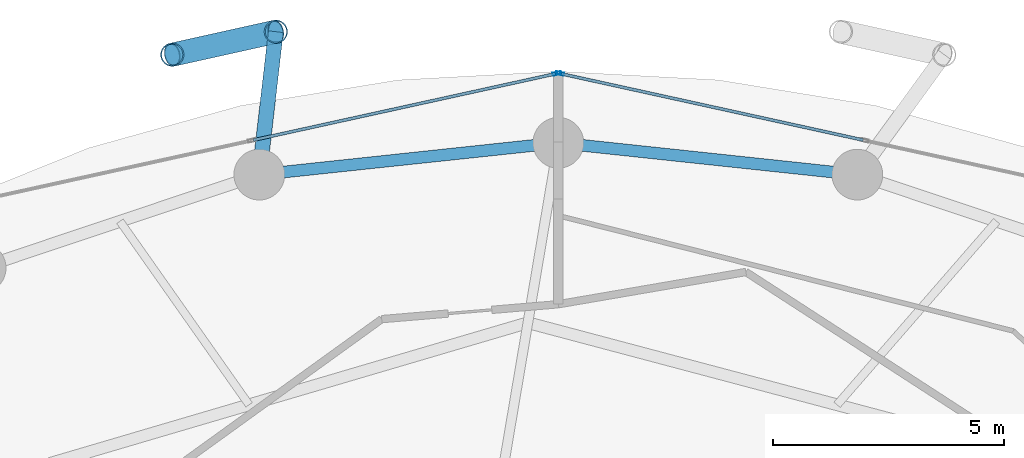
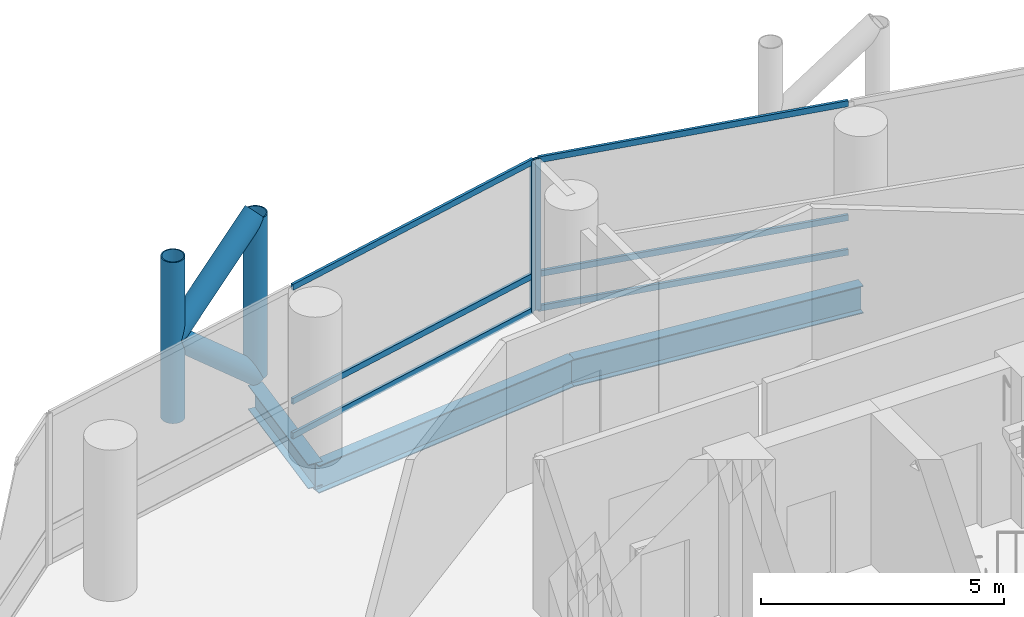
# One storey, part 16 of 24: 12 members, 3 beams, 2 elements without a shape of their own.
"""IFC4 building model written with IfcOpenShell, lengths in metres."""

import ifcopenshell
import ifcopenshell.guid

model = None  # the IFC model being written
_history = None  # IfcOwnerHistory: only IFC2X3 demands one
_inside = {}  # id of a spatial element -> (the spatial element, [elements in it])
_under = {}  # id of a project, library or spatial element -> (it, [spatial elements below it])
_declared = {}  # id of a project -> (the project, [libraries it declares])
_typed = {}  # id of a type object -> (the type object, [elements of that type])
_made_of = {}  # id of a material, layer set ... -> (it, [elements and type objects made of it])


def new_model(schema):
    """Start an empty IFC model of exactly this schema.

    Asked for "IFC4X3", IfcOpenShell would pick the latest addendum, in which some entities
    have other attributes; the version numbers below select the first issue.
    IFC2X3 requires an IfcOwnerHistory on every rooted entity: one is made here for all.
    """
    global model, _history
    if schema == "IFC4X3":
        model = ifcopenshell.file(schema_version=(4, 3, 0, 0))
    else:
        model = ifcopenshell.file(schema=schema)
    _inside.clear()
    _under.clear()
    _declared.clear()
    _typed.clear()
    _made_of.clear()
    _history = None
    if model.schema == "IFC2X3":
        org = make("IfcOrganization", Name="unknown")
        user = make(
            "IfcPersonAndOrganization",
            ThePerson=make("IfcPerson", FamilyName="unknown"),
            TheOrganization=org,
        )
        app = make(
            "IfcApplication",
            ApplicationDeveloper=org,
            Version="unknown",
            ApplicationFullName="unknown",
            ApplicationIdentifier="unknown",
        )
        _history = make(
            "IfcOwnerHistory",
            OwningUser=user,
            OwningApplication=app,
            ChangeAction="ADDED",
            CreationDate=0,
        )
    return model


def make(cls, **values):
    """One entity of the class cls with the attributes given. An attribute that is None is left unset."""
    return model.create_entity(
        cls, **{name: value for name, value in values.items() if value is not None}
    )


def rooted(cls, **values):
    """An entity with a GlobalId (a new one), such as an element, a storey or a relation."""
    return make(cls, GlobalId=ifcopenshell.guid.new(), OwnerHistory=_history, **values)


def si_unit(unit_type, name, prefix=None):
    """IfcSIUnit, for example si_unit("LENGTHUNIT", "METRE", prefix="MILLI")."""
    return make("IfcSIUnit", UnitType=unit_type, Prefix=prefix, Name=name)


def assignment(units):
    """IfcUnitAssignment: the units of a project."""
    return None if units is None else make("IfcUnitAssignment", Units=units)


def point(xyz):
    """IfcCartesianPoint."""
    return None if xyz is None else make("IfcCartesianPoint", Coordinates=xyz)


def direction(xyz):
    """IfcDirection."""
    return None if xyz is None else make("IfcDirection", DirectionRatios=xyz)


def frame(location, z_axis=None, x_axis=None):
    """IfcAxis2Placement3D, a coordinate frame: its origin and axes. An axis left out is left unset."""
    return make(
        "IfcAxis2Placement3D",
        Location=point(location),
        Axis=direction(z_axis),
        RefDirection=direction(x_axis),
    )


def frame_2d(location, x_axis=None):
    """IfcAxis2Placement2D, a coordinate frame in the plane: its origin and x axis."""
    return make(
        "IfcAxis2Placement2D", Location=point(location), RefDirection=direction(x_axis)
    )


def origin():
    """The frame at (0, 0, 0) with its axes left unset."""
    return frame((0.0, 0.0, 0.0))


def origin_2d():
    """The frame at (0, 0) in the plane with its x axis left unset."""
    return frame_2d((0.0, 0.0))


def place(relative_to, where):
    """IfcLocalPlacement: puts the frame where relative to a parent placement (None: the world)."""
    return make(
        "IfcLocalPlacement", PlacementRelTo=relative_to, RelativePlacement=where
    )


def context(
    kind, dimensions, precision=None, world=None, true_north=None, identifier=None
):
    """IfcGeometricRepresentationContext, for example the 3D "Model" context."""
    return make(
        "IfcGeometricRepresentationContext",
        ContextIdentifier=identifier,
        ContextType=kind,
        CoordinateSpaceDimension=dimensions,
        Precision=precision,
        WorldCoordinateSystem=world,
        TrueNorth=true_north,
    )


def subcontext(parent, identifier, kind, view, scale=None):
    """IfcGeometricRepresentationSubContext, for example "Body" below "Model"."""
    return make(
        "IfcGeometricRepresentationSubContext",
        ContextIdentifier=identifier,
        ContextType=kind,
        ParentContext=parent,
        TargetScale=scale,
        TargetView=view,
    )


def project(units=None, contexts=None):
    """IfcProject with its units and contexts."""
    return rooted(
        "IfcProject",
        Name="project",
        RepresentationContexts=contexts,
        UnitsInContext=assignment(units),
    )


def spatial(cls, under=None, at=None, **own):
    """A site, building, storey or space (cls), placed at a placement, below another one or the project."""
    s = rooted(cls, ObjectPlacement=at, **own)
    if under is not None:
        _under.setdefault(under.id(), (under, []))[1].append(s)
    return s


def profile(cls, at=None, kind="AREA", **sizes):
    """A parametric profile (cls). Its sizes go by their IFC names, for example OverallWidth=200.0."""
    return make(cls, ProfileType=kind, Position=at, **sizes)


def hollow_rectangle(**sizes):
    """IfcRectangleHollowProfileDef."""
    return profile("IfcRectangleHollowProfileDef", **sizes)


def hollow_circle(**sizes):
    """IfcCircleHollowProfileDef."""
    return profile("IfcCircleHollowProfileDef", **sizes)


def i_section(**sizes):
    """IfcIShapeProfileDef."""
    return profile("IfcIShapeProfileDef", **sizes)


def extrude(swept, where, along, depth):
    """IfcExtrudedAreaSolid: the profile swept, set in the frame where, extruded along a direction by depth."""
    return make(
        "IfcExtrudedAreaSolid",
        SweptArea=swept,
        Position=where,
        ExtrudedDirection=direction(along),
        Depth=depth,
    )


def shape(context_of_items, identifier, shape_type, items):
    """IfcShapeRepresentation: the items that make up one representation, for example the "Body"."""
    return make(
        "IfcShapeRepresentation",
        ContextOfItems=context_of_items,
        RepresentationIdentifier=identifier,
        RepresentationType=shape_type,
        Items=items,
    )


def material(Name=None, Category=None):
    """IfcMaterial."""
    return make("IfcMaterial", Name=Name, Category=Category)


def layer(
    of_material, thickness, ventilated=None, Name=None, Category=None, Priority=None
):
    """IfcMaterialLayer: one layer of a wall or slab, of a material (None: an air gap)."""
    return make(
        "IfcMaterialLayer",
        Material=of_material,
        LayerThickness=thickness,
        IsVentilated=ventilated,
        Name=Name,
        Category=Category,
        Priority=Priority,
    )


def layer_set(layers, Name=None):
    """IfcMaterialLayerSet."""
    return make("IfcMaterialLayerSet", MaterialLayers=layers, LayerSetName=Name)


def material_profile(
    of_material, cross_section, Name=None, Category=None, Priority=None
):
    """IfcMaterialProfile: a cross section and its material."""
    return make(
        "IfcMaterialProfile",
        Name=Name,
        Material=of_material,
        Profile=cross_section,
        Priority=Priority,
        Category=Category,
    )


def profile_set(profiles, Name=None, composite=None):
    """IfcMaterialProfileSet."""
    return make(
        "IfcMaterialProfileSet",
        Name=Name,
        MaterialProfiles=profiles,
        CompositeProfile=composite,
    )


def made_of(thing, what):
    """Note that an element or type object is made of a material, layer set ...; save() writes the relation."""
    if what is not None:
        _made_of.setdefault(what.id(), (what, []))[1].append(thing)
    return thing


def type_object(cls, material=None, **own):
    """A type object (cls), such as IfcWallType, which elements share."""
    return made_of(rooted(cls, **own), material)


def element(
    cls,
    number,
    at=None,
    inside=None,
    cuts=None,
    type_object=None,
    material=None,
    context=None,
    identifier="Body",
    shape_type=None,
    held_by="IfcProductDefinitionShape",
    body=None,
    shapes=None,
    **own,
):
    """One element of the class cls, such as IfcWall. Its Tag is "e" and its number.

    at: its placement. inside: the storey or other place that contains it. cuts: it is an
    opening in that element (IfcRelVoidsElement). A single representation is given by context,
    identifier, shape_type and body (its items); several are given by shapes. held_by: the class
    of the entity that holds the representations. save() writes the other relations.
    """
    e = rooted(cls, Tag="e%d" % number, ObjectPlacement=at, **own)
    if body is not None:
        shapes = [shape(context, identifier, shape_type, body)]
    if shapes is not None:
        e.Representation = make(held_by, Representations=shapes)
    if inside is not None:
        _inside.setdefault(inside.id(), (inside, []))[1].append(e)
    if cuts is not None:
        rooted(
            "IfcRelVoidsElement", RelatingBuildingElement=cuts, RelatedOpeningElement=e
        )
    if type_object is not None:
        _typed.setdefault(type_object.id(), (type_object, []))[1].append(e)
    return made_of(e, material)


def aggregate(whole, parts):
    """IfcRelAggregates: a whole, such as a stair, and the parts it consists of."""
    return rooted("IfcRelAggregates", RelatingObject=whole, RelatedObjects=parts)


def save(model, path):
    """Write the relations noted so far, then the file.

    IfcRelAggregates (storeys below a building ...), IfcRelContainedInSpatialStructure (elements
    in a storey), IfcRelDefinesByType, IfcRelAssociatesMaterial and IfcRelDeclares: one each for
    every whole, place, type object, material and project.
    """
    for whole, parts in _under.values():
        aggregate(whole, parts)
    for where, things in _inside.values():
        rooted(
            "IfcRelContainedInSpatialStructure",
            RelatedElements=things,
            RelatingStructure=where,
        )
    for kind, things in _typed.values():
        rooted("IfcRelDefinesByType", RelatedObjects=things, RelatingType=kind)
    for what, things in _made_of.values():
        rooted("IfcRelAssociatesMaterial", RelatedObjects=things, RelatingMaterial=what)
    for by, libraries in _declared.values():
        rooted("IfcRelDeclares", RelatingContext=by, RelatedDefinitions=libraries)
    model.write(path)


model = new_model("IFC4")

# Units and contexts
model_context = context("Model", 3, precision=1e-05, world=origin(), true_north=direction((0.0, 1.0)))
body_context = subcontext(model_context, "Body", "Model", "MODEL_VIEW")
ifc_project = project(units=[si_unit("LENGTHUNIT", "METRE"), si_unit("AREAUNIT", "SQUARE_METRE"), si_unit("VOLUMEUNIT", "CUBIC_METRE"), si_unit("PLANEANGLEUNIT", "RADIAN"), si_unit("MASSUNIT", "GRAM", prefix="KILO")], contexts=[model_context])

# Site, building, storey
site_placement = place(None, origin())
site = spatial("IfcSite", under=ifc_project, at=site_placement, CompositionType="ELEMENT")
building_placement = place(site_placement, origin())
building = spatial("IfcBuilding", under=site, at=building_placement, Name="Nuhasar Tower", CompositionType="ELEMENT")
storey_placement = place(building_placement, frame((0.0, 0.0, 69.60009765625)))
storey = spatial("IfcBuildingStorey", under=building, at=storey_placement, Name="L16", CompositionType="ELEMENT", Elevation=69.60009765625)

# Beams
ifc_material_1 = material(Name="Steel S355", Category="steel")
ifc_material_profile_1 = material_profile(ifc_material_1, i_section(OverallWidth=0.256103515625, OverallDepth=0.693115234375, WebThickness=0.014404296875, FlangeThickness=0.023681640625, at=origin_2d()), Name="W27X114")
ifc_profile_set_1 = profile_set([ifc_material_profile_1], Name="Steel S355")
beam_type_1 = type_object("IfcBeamType", Name="BM-RING-W27X114", PredefinedType="SPANDREL", material=ifc_profile_set_1)
for number, where, z_axis, x_axis, name in (
    (1, (45.48291015625, 46.360107421875, -0.59716796875), (-0.994384554061, 0.105827022286, 0.0), (-0.105827022286, -0.994384554061, 0.0), "L16 Perimeter Ring Spandrel 06"),
    (2, (39.0, 47.050048828125, -0.59716796875), (-0.994384554061, -0.105827022286, 0.0), (0.105827022286, -0.994384554061, 0.0), "L16 Perimeter Ring Spandrel 07"),
):
    element("IfcBeam", number, at=place(storey_placement, frame(where, z_axis=z_axis, x_axis=x_axis)), inside=storey, type_object=beam_type_1, Name=name, PredefinedType="SPANDREL", context=body_context, shape_type="SweptSolid", body=[
        extrude(i_section(OverallWidth=0.256103515625, OverallDepth=0.693115234375, WebThickness=0.014404296875, FlangeThickness=0.023681640625, at=origin_2d()), origin(), (0.0, 0.0, 1.0), 6.51953125),
    ])
ifc_material_profile_2 = material_profile(ifc_material_1, i_section(OverallWidth=0.323974609375, OverallDepth=0.611083984375, WebThickness=0.0126953125, FlangeThickness=0.01904296875, at=origin_2d()), Name="W24X104")
ifc_profile_set_2 = profile_set([ifc_material_profile_2], Name="Steel S355")
beam_type_2 = type_object("IfcBeamType", Name="BM-TIE-W24X104", PredefinedType="BEAM", material=ifc_profile_set_2)
beam_placement = place(storey_placement, frame((32.51708984375, 46.360107421875, -0.55615234375), z_axis=(0.115042934281, 0.993360520291, 0.0), x_axis=(-0.993360520291, 0.115042934281, 0.0)))
element("IfcBeam", 3, at=beam_placement, inside=storey, type_object=beam_type_2, Name="L16 Exoskeleton Node Tie Beam 04", PredefinedType="BEAM", context=body_context, shape_type="SweptSolid", body=[
    extrude(i_section(OverallWidth=0.323974609375, OverallDepth=0.611083984375, WebThickness=0.0126953125, FlangeThickness=0.01904296875, at=origin_2d()), origin(), (0.0, 0.0, 1.0), 3.11962890625),
])

# Curtain wall, member
ifc_material_2 = material(Name="Aluminium 6063-T6", Category="aluminium")
ifc_layer = layer(ifc_material_2, 0.199951171875)
ifc_layer_set = layer_set([ifc_layer], Name="Aluminium 6063-T6")
curtain_wall_type = type_object("IfcCurtainWallType", Name="CW-Z1-OFF", PredefinedType="NOTDEFINED", material=ifc_layer_set)
curtain_wall_1_placement = place(storey_placement, origin())
curtain_wall_1 = element("IfcCurtainWall", 4, at=curtain_wall_1_placement, inside=storey, type_object=curtain_wall_type, Name="L16 Unitised Curtain Wall 03", PredefinedType="NOTDEFINED")
ifc_material_profile_3 = material_profile(ifc_material_2, hollow_rectangle(XDim=0.06494140625, YDim=0.179931640625, WallThickness=0.0048828125, at=origin_2d()), Name="CWM-2")
ifc_profile_set_3 = profile_set([ifc_material_profile_3], Name="Aluminium 6063-T6")
member_type_1 = type_object("IfcMemberType", Name="CW-MUL-S2", PredefinedType="MULLION", material=ifc_profile_set_3)
member_1_placement = place(storey_placement, frame((39.03173828125, 48.552978515625, 0.0), z_axis=(0.0, 0.0, 1.0), x_axis=(-0.214398737637, -0.976746221544, 0.0)))
member_1 = element("IfcMember", 5, at=member_1_placement, type_object=member_type_1, Name="CW-Z1 mullion 3", PredefinedType="MULLION", context=body_context, shape_type="SweptSolid", body=[
    extrude(hollow_rectangle(XDim=0.06494140625, YDim=0.179931640625, WallThickness=0.0048828125, at=origin_2d()), origin(), (0.0, 0.0, 1.0), 3.7998046875),
])

curtain_wall_2_placement = place(storey_placement, origin())
curtain_wall_2 = element("IfcCurtainWall", 6, at=curtain_wall_2_placement, inside=storey, type_object=curtain_wall_type, Name="L16 Unitised Curtain Wall 04", PredefinedType="NOTDEFINED")
member_2_placement = place(storey_placement, frame((38.96826171875, 48.552978515625, 0.0), z_axis=(0.0, 0.0, 1.0), x_axis=(0.214398737637, -0.976746221544, 0.0)))
member_2 = element("IfcMember", 7, at=member_2_placement, type_object=member_type_1, Name="CW-Z1 mullion 1", PredefinedType="MULLION", context=body_context, shape_type="SweptSolid", body=[
    extrude(hollow_rectangle(XDim=0.06494140625, YDim=0.179931640625, WallThickness=0.0048828125, at=origin_2d()), origin(), (0.0, 0.0, 1.0), 3.7998046875),
])

# Member
ifc_material_profile_4 = material_profile(ifc_material_2, hollow_rectangle(XDim=0.06494140625, YDim=0.14990234375, WallThickness=0.00439453125, at=origin_2d()), Name="CWT-2")
ifc_profile_set_4 = profile_set([ifc_material_profile_4], Name="Aluminium 6063-T6")
member_type_2 = type_object("IfcMemberType", Name="CW-TRN-S2", PredefinedType="USERDEFINED", material=ifc_profile_set_4)
member_3_placement = place(storey_placement, frame((45.608154296875, 47.109375, 0.032470703125), z_axis=(-0.976740248595, 0.214425947065, 0.0), x_axis=(-0.214425947065, -0.976740248595, 0.0)))
member_3 = element("IfcMember", 8, at=member_3_placement, type_object=member_type_2, Name="CW-Z1 transom 2.1", ObjectType="TRANSOM", PredefinedType="USERDEFINED", context=body_context, shape_type="SweptSolid", body=[
    extrude(hollow_rectangle(XDim=0.06494140625, YDim=0.14990234375, WallThickness=0.00439453125, at=origin_2d()), origin(), (0.0, 0.0, 1.0), 6.700439453125),
])

member_4_placement = place(storey_placement, frame((45.608154296875, 47.109375, 0.89990234375), z_axis=(-0.976740248595, 0.214425947065, 0.0), x_axis=(-0.214425947065, -0.976740248595, 0.0)))
member_4 = element("IfcMember", 9, at=member_4_placement, type_object=member_type_2, Name="CW-Z1 transom 2.2", ObjectType="TRANSOM", PredefinedType="USERDEFINED", context=body_context, shape_type="SweptSolid", body=[
    extrude(hollow_rectangle(XDim=0.06494140625, YDim=0.14990234375, WallThickness=0.00439453125, at=origin_2d()), origin(), (0.0, 0.0, 1.0), 6.700439453125),
])

member_5_placement = place(storey_placement, frame((45.608154296875, 47.109375, 3.767333984375), z_axis=(-0.976740248595, 0.214425947065, 0.0), x_axis=(-0.214425947065, -0.976740248595, 0.0)))
member_5 = element("IfcMember", 10, at=member_5_placement, type_object=member_type_2, Name="CW-Z1 transom 2.3", ObjectType="TRANSOM", PredefinedType="USERDEFINED", context=body_context, shape_type="SweptSolid", body=[
    extrude(hollow_rectangle(XDim=0.06494140625, YDim=0.14990234375, WallThickness=0.00439453125, at=origin_2d()), origin(), (0.0, 0.0, 1.0), 6.700439453125),
])

aggregate(curtain_wall_1, [member_1, member_3, member_4, member_5])

member_6_placement = place(storey_placement, frame((38.9365234375, 48.546142578125, 0.032470703125), z_axis=(-0.976740248595, -0.214425947065, 0.0), x_axis=(0.214425947065, -0.976740248595, 0.0)))
member_6 = element("IfcMember", 11, at=member_6_placement, type_object=member_type_2, Name="CW-Z1 transom 1.1", ObjectType="TRANSOM", PredefinedType="USERDEFINED", context=body_context, shape_type="SweptSolid", body=[
    extrude(hollow_rectangle(XDim=0.06494140625, YDim=0.14990234375, WallThickness=0.00439453125, at=origin_2d()), origin(), (0.0, 0.0, 1.0), 6.700439453125),
])

member_7_placement = place(storey_placement, frame((38.9365234375, 48.546142578125, 0.89990234375), z_axis=(-0.976740248595, -0.214425947065, 0.0), x_axis=(0.214425947065, -0.976740248595, 0.0)))
member_7 = element("IfcMember", 12, at=member_7_placement, type_object=member_type_2, Name="CW-Z1 transom 1.2", ObjectType="TRANSOM", PredefinedType="USERDEFINED", context=body_context, shape_type="SweptSolid", body=[
    extrude(hollow_rectangle(XDim=0.06494140625, YDim=0.14990234375, WallThickness=0.00439453125, at=origin_2d()), origin(), (0.0, 0.0, 1.0), 6.700439453125),
])

member_8_placement = place(storey_placement, frame((38.9365234375, 48.546142578125, 3.767333984375), z_axis=(-0.976740248595, -0.214425947065, 0.0), x_axis=(0.214425947065, -0.976740248595, 0.0)))
member_8 = element("IfcMember", 13, at=member_8_placement, type_object=member_type_2, Name="CW-Z1 transom 1.3", ObjectType="TRANSOM", PredefinedType="USERDEFINED", context=body_context, shape_type="SweptSolid", body=[
    extrude(hollow_rectangle(XDim=0.06494140625, YDim=0.14990234375, WallThickness=0.00439453125, at=origin_2d()), origin(), (0.0, 0.0, 1.0), 6.700439453125),
])

aggregate(curtain_wall_2, [member_2, member_6, member_7, member_8])

# Members
ifc_material_3 = material(Name="Steel S460", Category="steel")
ifc_material_profile_5 = material_profile(ifc_material_3, hollow_circle(Radius=0.25390625, WallThickness=0.025390625, at=origin_2d()), Name="HSS508X25.4")
ifc_profile_set_5 = profile_set([ifc_material_profile_5], Name="Steel S460")
member_type_3 = type_object("IfcMemberType", Name="EXO-BRONZE-508", PredefinedType="BRACE", material=ifc_profile_set_5)
for number, where, z_axis, x_axis, name in (
    (14, (32.8759765625, 49.458984375, 0.0), (0.0, 0.0, 1.0), (1.0, 0.0, 0.0), "L16 Exoskeleton Chord Column EC-04A"),
    (15, (30.6298828125, 48.9599609375, 0.0), (0.0, 0.0, 1.0), (1.0, 0.0, 0.0), "L16 Exoskeleton Chord Column EC-04B"),
):
    element("IfcMember", number, at=place(storey_placement, frame(where, z_axis=z_axis, x_axis=x_axis)), inside=storey, type_object=member_type_3, Name=name, PredefinedType="BRACE", context=body_context, shape_type="SweptSolid", body=[
        extrude(hollow_circle(Radius=0.25390625, WallThickness=0.025390625, at=origin_2d()), origin(), (0.0, 0.0, 1.0), 4.0498046875),
    ])
for number, where, z_axis, x_axis, name in (
    (16, (32.8759765625, 49.458984375, 0.0), (-0.732821471909, -0.162813813976, 0.660654487828), (0.216885517571, -0.97619704582, 0.0), "L16 Bronze Diagrid Brace W1-04"),
    (17, (30.6298828125, 48.9599609375, 2.02490234375), (0.732821471909, 0.162813813976, 0.660654487828), (-0.216885517571, 0.97619704582, 0.0), "L16 Bronze Diagrid Brace W2-04"),
):
    element("IfcMember", number, at=place(storey_placement, frame(where, z_axis=z_axis, x_axis=x_axis)), inside=storey, type_object=member_type_3, Name=name, PredefinedType="BRACE", context=body_context, shape_type="SweptSolid", body=[
        extrude(hollow_circle(Radius=0.25390625, WallThickness=0.025390625, at=origin_2d()), origin(), (0.0, 0.0, 1.0), 3.06494140625),
    ])

save(model, "model.ifc")
